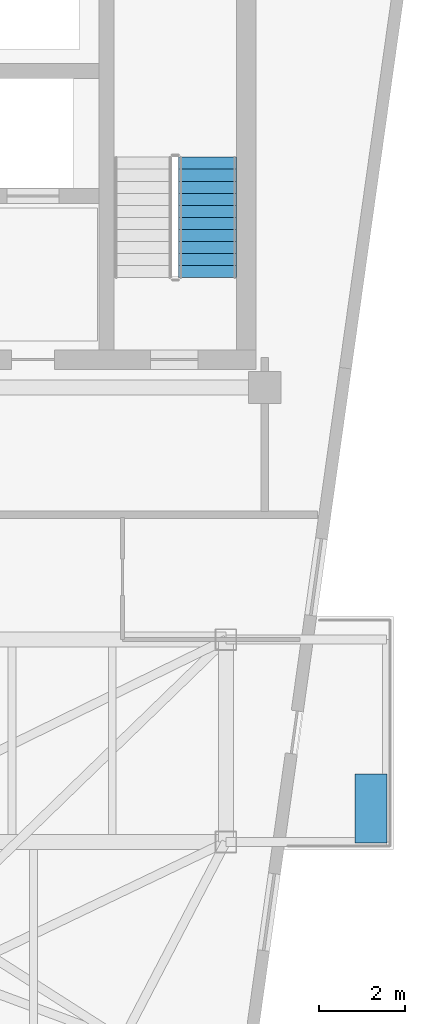
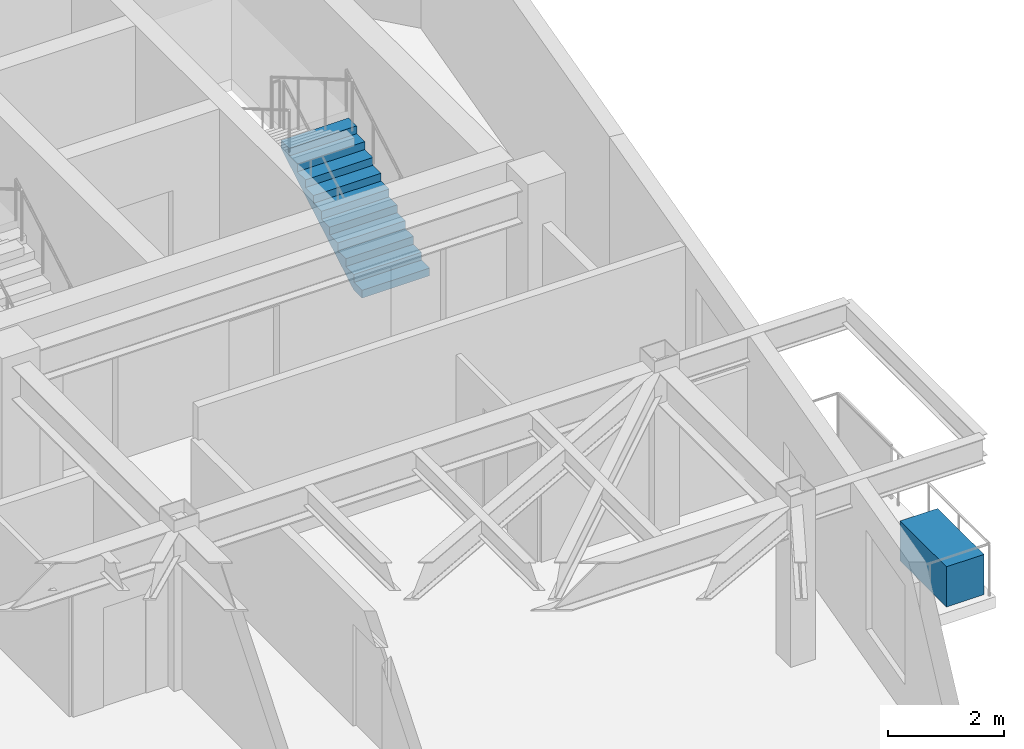
# One storey, part 17 of 19: 1 discrete accessory, 1 stair flight, 1 element without a shape of its own.
"""IFC4 building model written with IfcOpenShell, lengths in metres."""

from ifc_helpers import new_model, si_unit, direction, frame, origin, origin_2d, place, context, subcontext, project, spatial, polyline, rectangle, outline, extrude, material, layer, layer_set, type_object, element, aggregate, save


model = new_model("IFC4")

# Units and contexts
model_context = context("Model", 3, precision=1e-05, world=origin(), true_north=direction((0.0, 1.0)))
body_context = subcontext(model_context, "Body", "Model", "MODEL_VIEW")
ifc_project = project(units=[si_unit("LENGTHUNIT", "METRE"), si_unit("AREAUNIT", "SQUARE_METRE"), si_unit("VOLUMEUNIT", "CUBIC_METRE"), si_unit("PLANEANGLEUNIT", "RADIAN"), si_unit("MASSUNIT", "GRAM", prefix="KILO")], contexts=[model_context])

# Site, building, storey
site_placement = place(None, origin())
site = spatial("IfcSite", under=ifc_project, at=site_placement, CompositionType="ELEMENT")
building_placement = place(site_placement, origin())
building = spatial("IfcBuilding", under=site, at=building_placement, Name="Kravanh Interchange Tower", CompositionType="ELEMENT")
storey_placement = place(building_placement, frame((0.0, 0.0, 270.60009765625)))
storey = spatial("IfcBuildingStorey", under=building, at=storey_placement, Name="L66", CompositionType="ELEMENT", Elevation=270.60009765625)

# Stair, stair flight
ifc_material_1 = material(Name="Concrete C50/60", Category="concrete")
stair_type = type_object("IfcStairType", Name="Core Fire Exit Dogleg Stair Concrete C50/60", PredefinedType="HALF_TURN_STAIR", material=ifc_material_1)
stair_placement = place(storey_placement, origin())
stair = element("IfcStair", 1, at=stair_placement, inside=storey, type_object=stair_type, Name="L66 Exit Stair ST1", PredefinedType="HALF_TURN_STAIR")
ifc_material_2 = material(Name="Precast Concrete C50/60", Category="concrete")
ifc_layer = layer(ifc_material_2, 0.199951171875)
ifc_layer_set = layer_set([ifc_layer], Name="Precast Concrete C50/60 Stair Flight 1350mm")
stair_flight_type = type_object("IfcStairFlightType", Name="Precast Concrete C50/60 Stair Flight 1350mm", PredefinedType="STRAIGHT", material=ifc_layer_set)
stair_flight_placement = place(storey_placement, frame((65.175048828125, 39.89990234375, 0.0), z_axis=(0.0, 0.0, 1.0), x_axis=(0.0, 1.0, 0.0)))
stair_flight = element("IfcStairFlight", 2, at=stair_flight_placement, type_object=stair_flight_type, Name="ST1 flight 1", NumberOfRisers=11, NumberOfTreads=10, PredefinedType="STRAIGHT", RiserHeight=0.163636364, TreadLength=0.28, context=body_context, shape_type="SweptSolid", body=[
    extrude(outline(polyline([(0.0, 0.0), (0.0, 0.16357421875), (0.280029296875, 0.16357421875), (0.280029296875, 0.327392578125), (0.56005859375, 0.327392578125), (0.56005859375, 0.490966796875), (0.840087890625, 0.490966796875), (0.840087890625, 0.654541015625), (1.1201171875, 0.654541015625), (1.1201171875, 0.818115234375), (1.39990234375, 0.818115234375), (1.39990234375, 0.98193359375), (1.679931640625, 0.98193359375), (1.679931640625, 1.1455078125), (1.9599609375, 1.1455078125), (1.9599609375, 1.30908203125), (2.239990234375, 1.30908203125), (2.239990234375, 1.47265625), (2.52001953125, 1.47265625), (2.52001953125, 1.636474609375), (2.800048828125, 1.636474609375), (2.800048828125, 1.800048828125), (2.800048828125, 1.462646484375), (0.297119140625, 0.0), (0.0, 0.0)])), frame((0.0, 0.675048828125, 0.0), z_axis=(0.0, -1.0, 0.0), x_axis=(1.0, 0.0, 0.0)), (0.0, 0.0, 1.0), 1.35009765625),
])
aggregate(stair, [stair_flight])

# Discrete accessory
ifc_material_3 = material(Name="Architectural GRC Concrete C40/50 with Root Barrier", Category="concrete")
discrete_accessory_type = type_object("IfcDiscreteAccessoryType", Name="Structural Balcony Tree Planter Box Concrete C40/50 1600x750x850", PredefinedType="USERDEFINED", material=ifc_material_3)
discrete_accessory_placement = place(storey_placement, frame((68.969970703125, 27.580078125, -0.000244140625), z_axis=(0.0, 0.0, 1.0), x_axis=(1.0, 0.0, 0.0)))
element("IfcDiscreteAccessory", 3, at=discrete_accessory_placement, inside=storey, type_object=discrete_accessory_type, Name="L66 E Balcony TREE PLANTER", ObjectType="PLANTER", PredefinedType="USERDEFINED", context=body_context, shape_type="SweptSolid", body=[
    extrude(rectangle(XDim=0.75, YDim=1.60009765625, at=origin_2d()), origin(), (0.0, 0.0, 1.0), 0.85009765625),
])

save(model, "model.ifc")
